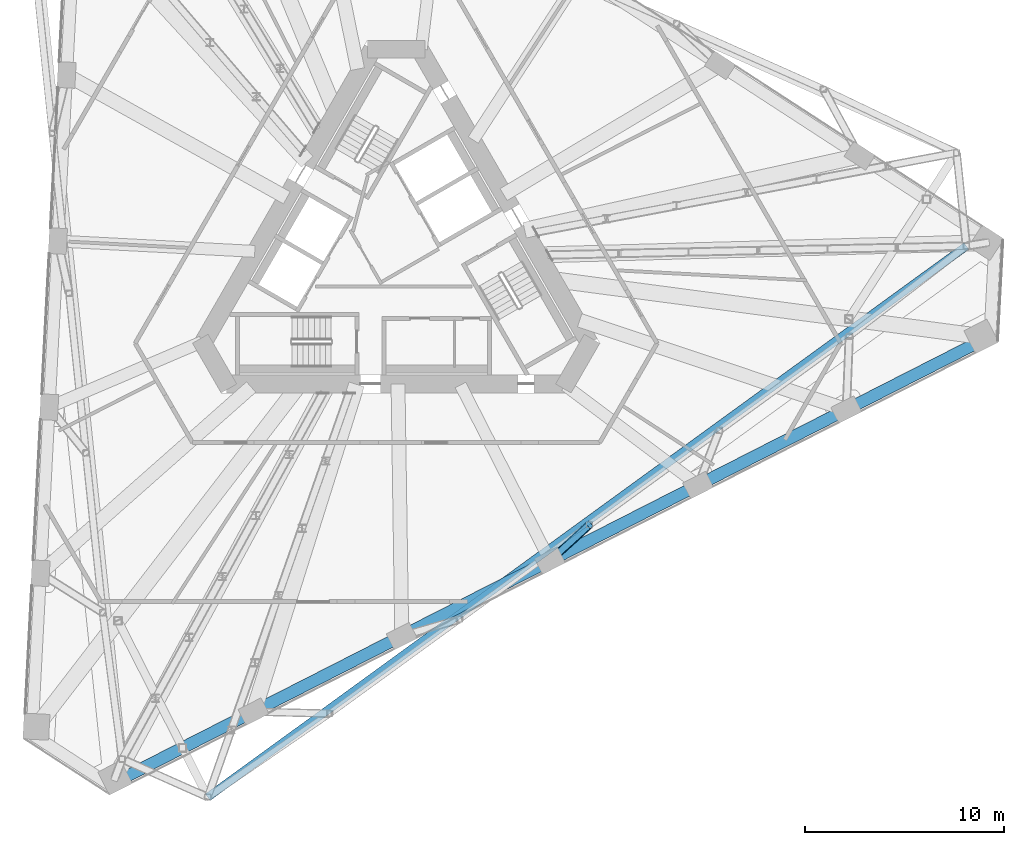
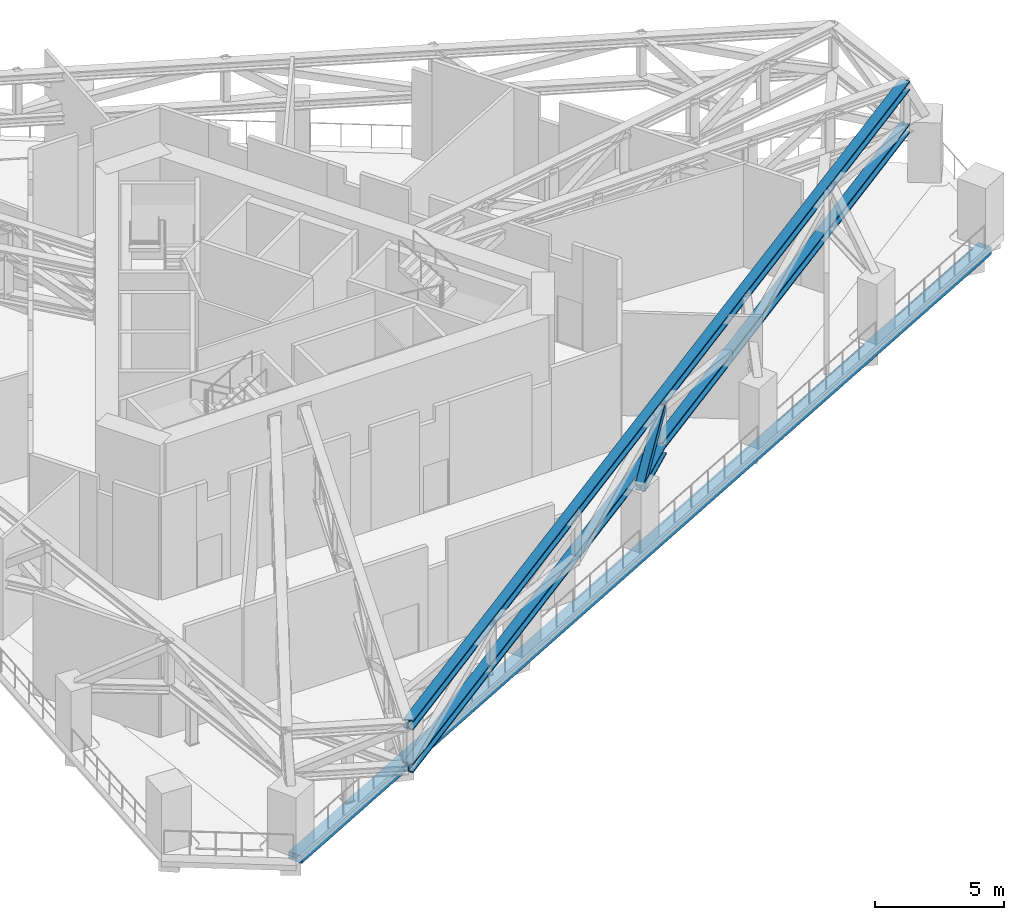
# One storey, part 3 of 26: 4 members, 1 beam.
"""IFC4 building model written with IfcOpenShell, lengths in metres."""

from ifc_helpers import new_model, si_unit, direction, frame, origin, origin_2d, place, context, subcontext, project, spatial, rectangle, hollow_rectangle, i_section, extrude, material, material_profile, profile_set, type_object, element, save


model = new_model("IFC4")

# Units and contexts
model_context = context("Model", 3, precision=1e-05, world=origin(), true_north=direction((0.0, 1.0)))
body_context = subcontext(model_context, "Body", "Model", "MODEL_VIEW")
ifc_project = project(units=[si_unit("LENGTHUNIT", "METRE"), si_unit("AREAUNIT", "SQUARE_METRE"), si_unit("VOLUMEUNIT", "CUBIC_METRE"), si_unit("PLANEANGLEUNIT", "RADIAN"), si_unit("MASSUNIT", "GRAM", prefix="KILO")], contexts=[model_context])

# Site, building, storey
site_placement = place(None, origin())
site = spatial("IfcSite", under=ifc_project, at=site_placement, CompositionType="ELEMENT")
building_placement = place(site_placement, origin())
building = spatial("IfcBuilding", under=site, at=building_placement, Name="Tramontana Tower", CompositionType="ELEMENT")
storey_placement = place(building_placement, frame((0.0, 0.0, 157.60009765625)))
storey = spatial("IfcBuildingStorey", under=building, at=storey_placement, Name="L36", CompositionType="ELEMENT", Elevation=157.60009765625)

# Members
ifc_material_1 = material(Name="Steel ASTM A992 Grade 50", Category="steel")
ifc_material_profile_1 = material_profile(ifc_material_1, i_section(OverallWidth=0.412841796875, OverallDepth=0.43505859375, WebThickness=0.03662109375, FlangeThickness=0.05712890625, FilletRadius=0.01513671875, at=origin_2d()), Name="W14X311")
ifc_profile_set_1 = profile_set([ifc_material_profile_1], Name="Steel ASTM A992 Grade 50")
member_type_1 = type_object("IfcMemberType", Name="Belt truss W14X311 chord", PredefinedType="CHORD", material=ifc_profile_set_1)
for number, where, z_axis, x_axis, name in (
    (1, (-9.4814453125, -27.098388671875, 2.617431640625), (0.80901582557, 0.587786861011, 0.0), (-0.587786861011, 0.80901582557, 0.0), "Belt truss bottom chord S1"),
    (2, (-9.4814453125, -27.098388671875, 4.63232421875), (0.80901582557, 0.587786861011, 0.0), (-0.587786861011, 0.80901582557, 0.0), "Belt truss top chord S1"),
):
    element("IfcMember", number, at=place(storey_placement, frame(where, z_axis=z_axis, x_axis=x_axis)), inside=storey, type_object=member_type_1, Name=name, PredefinedType="CHORD", context=body_context, shape_type="SweptSolid", body=[
        extrude(i_section(OverallWidth=0.412841796875, OverallDepth=0.43505859375, WebThickness=0.03662109375, FlangeThickness=0.05712890625, FilletRadius=0.01513671875, at=origin_2d()), origin(), (0.0, 0.0, 1.0), 47.197265625),
    ])

# Beam
ifc_material_2 = material(Name="Concrete 40 MPa", Category="concrete")
ifc_material_profile_2 = material_profile(ifc_material_2, rectangle(XDim=0.60009765625, YDim=0.35009765625, at=origin_2d()), Name="RC EDGE BEAM 600X350 40 MPa")
ifc_profile_set_2 = profile_set([ifc_material_profile_2], Name="Concrete 40 MPa")
beam_type = type_object("IfcBeamType", Name="RC EDGE BEAM 600X350 40 MPa", PredefinedType="SPANDREL", material=ifc_profile_set_2)
beam_placement = place(storey_placement, frame((-14.0576171875, -26.29833984375, -0.525146484375), z_axis=(0.89100747088, 0.453988641748, 0.0), x_axis=(-0.453988641748, 0.89100747088, 0.0)))
element("IfcBeam", 3, at=beam_placement, inside=storey, type_object=beam_type, Name="Spandrel beam S1 L36", PredefinedType="SPANDREL", context=body_context, shape_type="SweptSolid", body=[
    extrude(rectangle(XDim=0.60009765625, YDim=0.35009765625, at=origin_2d()), origin(), (0.0, 0.0, 1.0), 48.929443359375),
])

# Members
ifc_material_3 = material(Name="Steel ASTM A500 Grade C", Category="steel")
ifc_material_profile_3 = material_profile(ifc_material_3, hollow_rectangle(XDim=0.355712890625, YDim=0.355712890625, WallThickness=0.01171875, InnerFilletRadius=0.01171875, OuterFilletRadius=0.023681640625, at=origin_2d()), Name="HSS14X14X1/2")
ifc_profile_set_3 = profile_set([ifc_material_profile_3], Name="Steel ASTM A500 Grade C")
member_type_2 = type_object("IfcMemberType", Name="Transfer truss HSS14X14X1/2 brace", PredefinedType="BRACE", material=ifc_profile_set_3)
member_1_placement = place(storey_placement, frame((7.740478515625, -15.191650390625, 2.617431640625), z_axis=(0.592285465412, 0.537204372375, 0.600507610079), x_axis=(-0.671825388138, 0.740709557015, 0.0)))
element("IfcMember", 4, at=member_1_placement, inside=storey, type_object=member_type_2, Name="Transfer truss strut C4F08 diagonal", PredefinedType="BRACE", context=body_context, shape_type="SweptSolid", body=[
    extrude(hollow_rectangle(XDim=0.355712890625, YDim=0.355712890625, WallThickness=0.01171875, InnerFilletRadius=0.01171875, OuterFilletRadius=0.023681640625, at=origin_2d()), origin(), (0.0, 0.0, 1.0), 3.355224609375),
])
ifc_material_4 = material(Name="Steel ASTM A992 Grade 50", Category="steel")
ifc_material_profile_4 = material_profile(ifc_material_4, i_section(OverallWidth=0.412841796875, OverallDepth=0.43505859375, WebThickness=0.03662109375, FlangeThickness=0.05712890625, FilletRadius=0.01513671875, at=origin_2d()), Name="W14X311")
ifc_profile_set_4 = profile_set([ifc_material_profile_4], Name="Steel ASTM A992 Grade 50")
member_type_3 = type_object("IfcMemberType", Name="Transfer truss W14X311 strut", PredefinedType="STRUT", material=ifc_profile_set_4)
member_2_placement = place(storey_placement, frame((7.740478515625, -15.191650390625, 2.617431640625), z_axis=(0.740709557015, 0.671825388138, 0.0), x_axis=(-0.671825388138, 0.740709557015, 0.0)))
element("IfcMember", 5, at=member_2_placement, inside=storey, type_object=member_type_3, Name="Transfer truss strut C4F08 bottom", PredefinedType="STRUT", context=body_context, shape_type="SweptSolid", body=[
    extrude(i_section(OverallWidth=0.412841796875, OverallDepth=0.43505859375, WebThickness=0.03662109375, FlangeThickness=0.05712890625, FilletRadius=0.01513671875, at=origin_2d()), origin(), (0.0, 0.0, 1.0), 2.682861328125),
])

save(model, "model.ifc")
